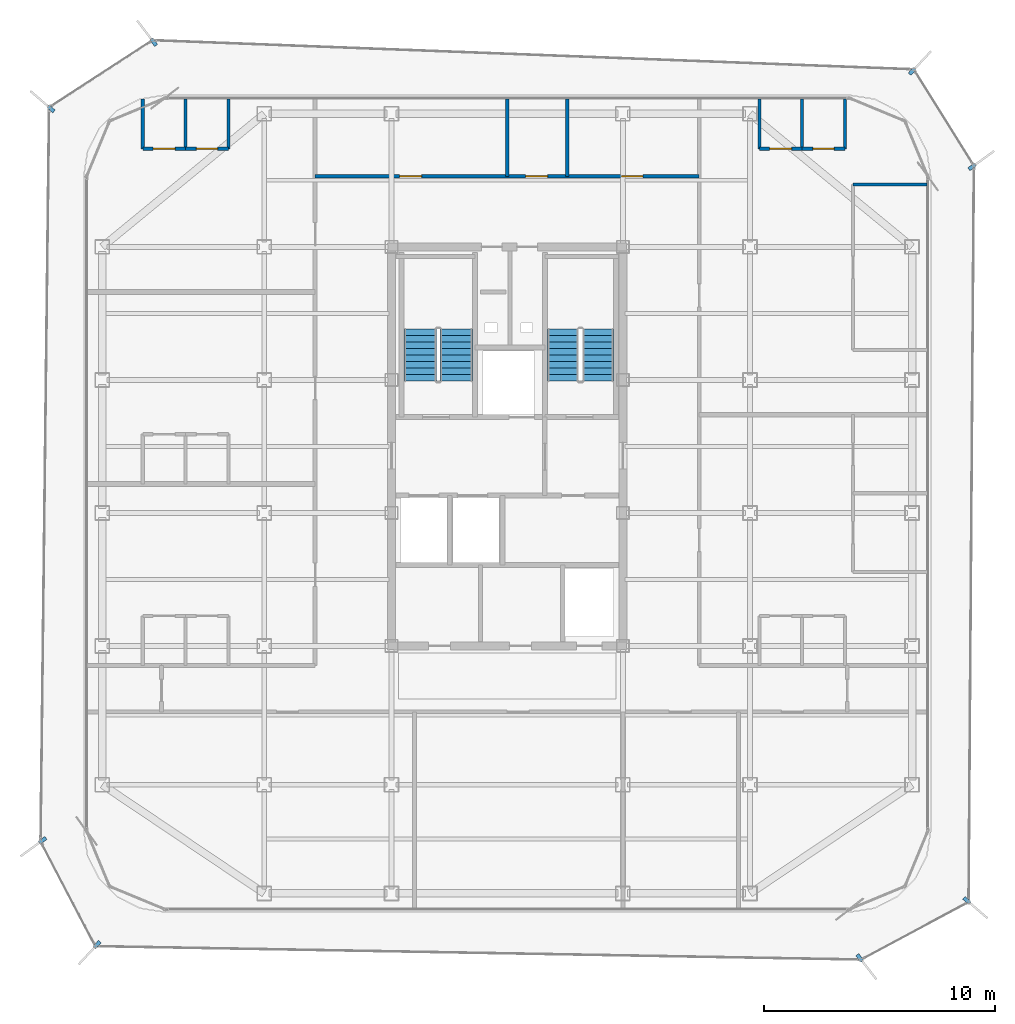
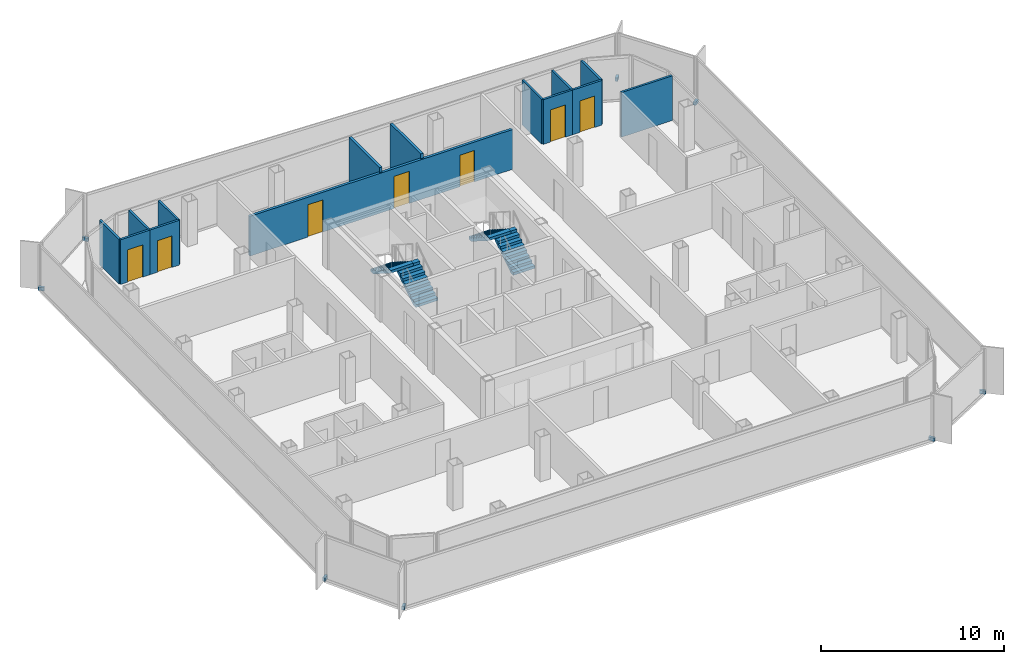
# One storey, part 12 of 15: 14 walls, 8 discrete accessories, 7 doors, 4 stair flights, 7 openings, 2 elements without a shape of their own.
"""IFC4 building model written with IfcOpenShell, lengths in metres."""

import ifcopenshell
import ifcopenshell.guid

model = None  # the IFC model being written
_history = None  # IfcOwnerHistory: only IFC2X3 demands one
_inside = {}  # id of a spatial element -> (the spatial element, [elements in it])
_under = {}  # id of a project, library or spatial element -> (it, [spatial elements below it])
_declared = {}  # id of a project -> (the project, [libraries it declares])
_typed = {}  # id of a type object -> (the type object, [elements of that type])
_made_of = {}  # id of a material, layer set ... -> (it, [elements and type objects made of it])


def new_model(schema):
    """Start an empty IFC model of exactly this schema.

    Asked for "IFC4X3", IfcOpenShell would pick the latest addendum, in which some entities
    have other attributes; the version numbers below select the first issue.
    IFC2X3 requires an IfcOwnerHistory on every rooted entity: one is made here for all.
    """
    global model, _history
    if schema == "IFC4X3":
        model = ifcopenshell.file(schema_version=(4, 3, 0, 0))
    else:
        model = ifcopenshell.file(schema=schema)
    _inside.clear()
    _under.clear()
    _declared.clear()
    _typed.clear()
    _made_of.clear()
    _history = None
    if model.schema == "IFC2X3":
        org = make("IfcOrganization", Name="unknown")
        user = make(
            "IfcPersonAndOrganization",
            ThePerson=make("IfcPerson", FamilyName="unknown"),
            TheOrganization=org,
        )
        app = make(
            "IfcApplication",
            ApplicationDeveloper=org,
            Version="unknown",
            ApplicationFullName="unknown",
            ApplicationIdentifier="unknown",
        )
        _history = make(
            "IfcOwnerHistory",
            OwningUser=user,
            OwningApplication=app,
            ChangeAction="ADDED",
            CreationDate=0,
        )
    return model


def make(cls, **values):
    """One entity of the class cls with the attributes given. An attribute that is None is left unset."""
    return model.create_entity(
        cls, **{name: value for name, value in values.items() if value is not None}
    )


def rooted(cls, **values):
    """An entity with a GlobalId (a new one), such as an element, a storey or a relation."""
    return make(cls, GlobalId=ifcopenshell.guid.new(), OwnerHistory=_history, **values)


def si_unit(unit_type, name, prefix=None):
    """IfcSIUnit, for example si_unit("LENGTHUNIT", "METRE", prefix="MILLI")."""
    return make("IfcSIUnit", UnitType=unit_type, Prefix=prefix, Name=name)


def assignment(units):
    """IfcUnitAssignment: the units of a project."""
    return None if units is None else make("IfcUnitAssignment", Units=units)


def point(xyz):
    """IfcCartesianPoint."""
    return None if xyz is None else make("IfcCartesianPoint", Coordinates=xyz)


def direction(xyz):
    """IfcDirection."""
    return None if xyz is None else make("IfcDirection", DirectionRatios=xyz)


def frame(location, z_axis=None, x_axis=None):
    """IfcAxis2Placement3D, a coordinate frame: its origin and axes. An axis left out is left unset."""
    return make(
        "IfcAxis2Placement3D",
        Location=point(location),
        Axis=direction(z_axis),
        RefDirection=direction(x_axis),
    )


def frame_2d(location, x_axis=None):
    """IfcAxis2Placement2D, a coordinate frame in the plane: its origin and x axis."""
    return make(
        "IfcAxis2Placement2D", Location=point(location), RefDirection=direction(x_axis)
    )


def origin():
    """The frame at (0, 0, 0) with its axes left unset."""
    return frame((0.0, 0.0, 0.0))


def origin_2d():
    """The frame at (0, 0) in the plane with its x axis left unset."""
    return frame_2d((0.0, 0.0))


def place(relative_to, where):
    """IfcLocalPlacement: puts the frame where relative to a parent placement (None: the world)."""
    return make(
        "IfcLocalPlacement", PlacementRelTo=relative_to, RelativePlacement=where
    )


def context(
    kind, dimensions, precision=None, world=None, true_north=None, identifier=None
):
    """IfcGeometricRepresentationContext, for example the 3D "Model" context."""
    return make(
        "IfcGeometricRepresentationContext",
        ContextIdentifier=identifier,
        ContextType=kind,
        CoordinateSpaceDimension=dimensions,
        Precision=precision,
        WorldCoordinateSystem=world,
        TrueNorth=true_north,
    )


def subcontext(parent, identifier, kind, view, scale=None):
    """IfcGeometricRepresentationSubContext, for example "Body" below "Model"."""
    return make(
        "IfcGeometricRepresentationSubContext",
        ContextIdentifier=identifier,
        ContextType=kind,
        ParentContext=parent,
        TargetScale=scale,
        TargetView=view,
    )


def project(units=None, contexts=None):
    """IfcProject with its units and contexts."""
    return rooted(
        "IfcProject",
        Name="project",
        RepresentationContexts=contexts,
        UnitsInContext=assignment(units),
    )


def spatial(cls, under=None, at=None, **own):
    """A site, building, storey or space (cls), placed at a placement, below another one or the project."""
    s = rooted(cls, ObjectPlacement=at, **own)
    if under is not None:
        _under.setdefault(under.id(), (under, []))[1].append(s)
    return s


def polyline(points):
    """IfcPolyline through the points."""
    return make("IfcPolyline", Points=[point(p) for p in points])


def profile(cls, at=None, kind="AREA", **sizes):
    """A parametric profile (cls). Its sizes go by their IFC names, for example OverallWidth=200.0."""
    return make(cls, ProfileType=kind, Position=at, **sizes)


def rectangle(**sizes):
    """IfcRectangleProfileDef."""
    return profile("IfcRectangleProfileDef", **sizes)


def outline(outer, holes=None, kind="AREA"):
    """IfcArbitraryClosedProfileDef: a profile drawn as a closed curve; with holes, ...WithVoids."""
    if holes is None:
        return make("IfcArbitraryClosedProfileDef", ProfileType=kind, OuterCurve=outer)
    return make(
        "IfcArbitraryProfileDefWithVoids",
        ProfileType=kind,
        OuterCurve=outer,
        InnerCurves=holes,
    )


def extrude(swept, where, along, depth):
    """IfcExtrudedAreaSolid: the profile swept, set in the frame where, extruded along a direction by depth."""
    return make(
        "IfcExtrudedAreaSolid",
        SweptArea=swept,
        Position=where,
        ExtrudedDirection=direction(along),
        Depth=depth,
    )


def shape(context_of_items, identifier, shape_type, items):
    """IfcShapeRepresentation: the items that make up one representation, for example the "Body"."""
    return make(
        "IfcShapeRepresentation",
        ContextOfItems=context_of_items,
        RepresentationIdentifier=identifier,
        RepresentationType=shape_type,
        Items=items,
    )


def source(mapping_origin, context_of_items, identifier, shape_type, items):
    """IfcRepresentationMap: a shape defined once, which mapped items show again and again."""
    return make(
        "IfcRepresentationMap",
        MappingOrigin=mapping_origin,
        MappedRepresentation=shape(context_of_items, identifier, shape_type, items),
    )


def transform(
    local_origin,
    x_axis=None,
    y_axis=None,
    z_axis=None,
    scale=None,
    scale2=None,
    scale3=None,
    uniform=True,
):
    """IfcCartesianTransformationOperator3D, or its non-uniform kind. x_axis, y_axis, z_axis: its Axis1, 2, 3."""
    if uniform:
        return make(
            "IfcCartesianTransformationOperator3D",
            Axis1=direction(x_axis),
            Axis2=direction(y_axis),
            LocalOrigin=point(local_origin),
            Scale=scale,
            Axis3=direction(z_axis),
        )
    return make(
        "IfcCartesianTransformationOperator3DnonUniform",
        Axis1=direction(x_axis),
        Axis2=direction(y_axis),
        LocalOrigin=point(local_origin),
        Scale=scale,
        Axis3=direction(z_axis),
        Scale2=scale2,
        Scale3=scale3,
    )


def mapped(mapping_source, mapping_target):
    """IfcMappedItem: shows the shape of a source again, moved by a transform."""
    return make(
        "IfcMappedItem", MappingSource=mapping_source, MappingTarget=mapping_target
    )


def material(Name=None, Category=None):
    """IfcMaterial."""
    return make("IfcMaterial", Name=Name, Category=Category)


def layer(
    of_material, thickness, ventilated=None, Name=None, Category=None, Priority=None
):
    """IfcMaterialLayer: one layer of a wall or slab, of a material (None: an air gap)."""
    return make(
        "IfcMaterialLayer",
        Material=of_material,
        LayerThickness=thickness,
        IsVentilated=ventilated,
        Name=Name,
        Category=Category,
        Priority=Priority,
    )


def layer_set(layers, Name=None):
    """IfcMaterialLayerSet."""
    return make("IfcMaterialLayerSet", MaterialLayers=layers, LayerSetName=Name)


def made_of(thing, what):
    """Note that an element or type object is made of a material, layer set ...; save() writes the relation."""
    if what is not None:
        _made_of.setdefault(what.id(), (what, []))[1].append(thing)
    return thing


def type_object(cls, material=None, **own):
    """A type object (cls), such as IfcWallType, which elements share."""
    return made_of(rooted(cls, **own), material)


def element(
    cls,
    number,
    at=None,
    inside=None,
    cuts=None,
    type_object=None,
    material=None,
    context=None,
    identifier="Body",
    shape_type=None,
    held_by="IfcProductDefinitionShape",
    body=None,
    shapes=None,
    **own,
):
    """One element of the class cls, such as IfcWall. Its Tag is "e" and its number.

    at: its placement. inside: the storey or other place that contains it. cuts: it is an
    opening in that element (IfcRelVoidsElement). A single representation is given by context,
    identifier, shape_type and body (its items); several are given by shapes. held_by: the class
    of the entity that holds the representations. save() writes the other relations.
    """
    e = rooted(cls, Tag="e%d" % number, ObjectPlacement=at, **own)
    if body is not None:
        shapes = [shape(context, identifier, shape_type, body)]
    if shapes is not None:
        e.Representation = make(held_by, Representations=shapes)
    if inside is not None:
        _inside.setdefault(inside.id(), (inside, []))[1].append(e)
    if cuts is not None:
        rooted(
            "IfcRelVoidsElement", RelatingBuildingElement=cuts, RelatedOpeningElement=e
        )
    if type_object is not None:
        _typed.setdefault(type_object.id(), (type_object, []))[1].append(e)
    return made_of(e, material)


def fill(opening, filler):
    """IfcRelFillsElement: the door or window that sits in an opening."""
    return rooted(
        "IfcRelFillsElement",
        RelatingOpeningElement=opening,
        RelatedBuildingElement=filler,
    )


def aggregate(whole, parts):
    """IfcRelAggregates: a whole, such as a stair, and the parts it consists of."""
    return rooted("IfcRelAggregates", RelatingObject=whole, RelatedObjects=parts)


def save(model, path):
    """Write the relations noted so far, then the file.

    IfcRelAggregates (storeys below a building ...), IfcRelContainedInSpatialStructure (elements
    in a storey), IfcRelDefinesByType, IfcRelAssociatesMaterial and IfcRelDeclares: one each for
    every whole, place, type object, material and project.
    """
    for whole, parts in _under.values():
        aggregate(whole, parts)
    for where, things in _inside.values():
        rooted(
            "IfcRelContainedInSpatialStructure",
            RelatedElements=things,
            RelatingStructure=where,
        )
    for kind, things in _typed.values():
        rooted("IfcRelDefinesByType", RelatedObjects=things, RelatingType=kind)
    for what, things in _made_of.values():
        rooted("IfcRelAssociatesMaterial", RelatedObjects=things, RelatingMaterial=what)
    for by, libraries in _declared.values():
        rooted("IfcRelDeclares", RelatingContext=by, RelatedDefinitions=libraries)
    model.write(path)


model = new_model("IFC4")

# Units and contexts
model_context = context("Model", 3, precision=1e-05, world=origin(), true_north=direction((0.0, 1.0)))
body_context = subcontext(model_context, "Body", "Model", "MODEL_VIEW")
ifc_project = project(units=[si_unit("LENGTHUNIT", "METRE"), si_unit("AREAUNIT", "SQUARE_METRE"), si_unit("VOLUMEUNIT", "CUBIC_METRE"), si_unit("PLANEANGLEUNIT", "RADIAN"), si_unit("MASSUNIT", "GRAM", prefix="KILO")], contexts=[model_context])

# Site, building, storey
site_placement = place(None, origin())
site = spatial("IfcSite", under=ifc_project, at=site_placement, CompositionType="ELEMENT")
building_placement = place(site_placement, origin())
building = spatial("IfcBuilding", under=site, at=building_placement, Name="Kolveth Station Tower", CompositionType="ELEMENT")
storey_placement = place(building_placement, frame((0.0, 0.0, 229.699951171875)))
storey = spatial("IfcBuildingStorey", under=building, at=storey_placement, Name="L65", CompositionType="ELEMENT", Elevation=229.699951171875)

# Wall, opening, door
ifc_material_1 = material(Name="Moisture-resistant gypsum partition")
ifc_layer_1 = layer(ifc_material_1, 0.135009765625)
ifc_layer_set_1 = layer_set([ifc_layer_1], Name="Moisture-resistant gypsum partition")
wall_type_1 = type_object("IfcWallType", Name="Wall_IW-135", PredefinedType="PARTITIONING", material=ifc_layer_set_1)
wall_1_placement = place(storey_placement, frame((7.75, 32.989990234375, 0.0), z_axis=(0.0, 0.0, 1.0), x_axis=(1.0, 0.0, 0.0)))
wall_1 = element("IfcWall", 1, at=wall_1_placement, inside=storey, type_object=wall_type_1, Name="L65 Partition Wall WL-L65-W3-IBHK", PredefinedType="PARTITIONING", context=body_context, shape_type="SweptSolid", body=[
    extrude(rectangle(XDim=1.85009765625, YDim=0.135009765625, at=frame_2d((0.925048828125, 0.0))), origin(), (0.0, 0.0, 1.0), 2.97998046875),
])
opening_1_placement = place(wall_1_placement, frame((0.445068359375, 0.0, 0.0)))
opening_1 = element("IfcOpeningElement", 2, at=opening_1_placement, cuts=wall_1, Name="Opening ID1", PredefinedType="OPENING", context=body_context, shape_type="SweptSolid", body=[
    extrude(rectangle(XDim=0.949951171875, YDim=2.14990234375, at=frame_2d((0.47509765625, 1.074951171875))), frame((0.0, 0.077392578125, 0.0), z_axis=(0.0, -1.0, 0.0), x_axis=(1.0, 0.0, 0.0)), (0.0, 0.0, 1.0), 0.155029296875),
])
ifc_material_2 = material(Name="Acoustic hardwood leaf and aluminium frame", Category="wood")
door_type_1 = type_object("IfcDoorType", Name="Door_ID1", OperationType="NOTDEFINED", PredefinedType="DOOR", material=ifc_material_2)
door_1_placement = place(opening_1_placement, frame((0.949951171875, 0.0, 0.0), z_axis=(0.0, 0.0, 1.0), x_axis=(-1.0, 0.0, 0.0)))
door_1 = element("IfcDoor", 3, at=door_1_placement, inside=storey, type_object=door_type_1, Name="Flat L65-W3 Kitchen Door", OperationType="SINGLE_SWING_LEFT", OverallHeight=2.14990234375, OverallWidth=0.949951171875, PredefinedType="DOOR", context=body_context, shape_type="SweptSolid", body=[
    extrude(rectangle(XDim=0.949951171875, YDim=2.14990234375, at=frame_2d((0.47509765625, 1.074951171875))), frame((0.0, 0.02490234375, 0.0), z_axis=(0.0, -1.0, 0.0), x_axis=(1.0, 0.0, 0.0)), (0.0, 0.0, 1.0), 0.050048828125),
])
fill(opening_1, door_1)

wall_2_placement = place(storey_placement, frame((9.60009765625, 32.989990234375, 0.0), z_axis=(0.0, 0.0, 1.0), x_axis=(1.0, 0.0, 0.0)))
wall_2 = element("IfcWall", 4, at=wall_2_placement, inside=storey, type_object=wall_type_1, Name="L65 Partition Wall WL-L65-W3-IBHB", PredefinedType="PARTITIONING", context=body_context, shape_type="SweptSolid", body=[
    extrude(rectangle(XDim=1.849853515625, YDim=0.135009765625, at=frame_2d((0.9248046875, 0.0))), origin(), (0.0, 0.0, 1.0), 2.97998046875),
])
opening_2_placement = place(wall_2_placement, frame((0.465087890625, 0.0, 0.0)))
opening_2 = element("IfcOpeningElement", 5, at=opening_2_placement, cuts=wall_2, Name="Opening ID2", PredefinedType="OPENING", context=body_context, shape_type="SweptSolid", body=[
    extrude(rectangle(XDim=0.919921875, YDim=2.10009765625, at=frame_2d((0.4599609375, 1.050048828125))), frame((0.0, 0.077392578125, 0.0), z_axis=(0.0, -1.0, 0.0), x_axis=(1.0, 0.0, 0.0)), (0.0, 0.0, 1.0), 0.155029296875),
])
ifc_material_3 = material(Name="Moisture-resistant hardwood leaf", Category="wood")
door_type_2 = type_object("IfcDoorType", Name="Door_ID2", OperationType="NOTDEFINED", PredefinedType="DOOR", material=ifc_material_3)
door_2_placement = place(opening_2_placement, frame((0.919921875, 0.0, 0.0), z_axis=(0.0, 0.0, 1.0), x_axis=(-1.0, 0.0, 0.0)))
door_2 = element("IfcDoor", 6, at=door_2_placement, inside=storey, type_object=door_type_2, Name="Flat L65-W3 Bathroom Door", OperationType="SINGLE_SWING_RIGHT", OverallHeight=2.10009765625, OverallWidth=0.919921875, PredefinedType="DOOR", context=body_context, shape_type="SweptSolid", body=[
    extrude(rectangle(XDim=0.919921875, YDim=2.10009765625, at=frame_2d((0.4599609375, 1.050048828125))), frame((0.0, 0.02490234375, 0.0), z_axis=(0.0, -1.0, 0.0), x_axis=(1.0, 0.0, 0.0)), (0.0, 0.0, 1.0), 0.050048828125),
])
fill(opening_2, door_2)

# Walls
for number, where, z_axis, x_axis, name in (
    (7, (7.75, 32.989990234375, 0.0), (0.0, 0.0, 1.0), (0.0, 1.0, 0.0), "L65 Partition Wall WL-L65-W3-IBV0"),
    (8, (9.60009765625, 32.989990234375, 0.0), (0.0, 0.0, 1.0), (0.0, 1.0, 0.0), "L65 Partition Wall WL-L65-W3-IBV1"),
    (9, (11.449951171875, 32.989990234375, 0.0), (0.0, 0.0, 1.0), (0.0, 1.0, 0.0), "L65 Partition Wall WL-L65-W3-IBV2"),
):
    element("IfcWall", number, at=place(storey_placement, frame(where, z_axis=z_axis, x_axis=x_axis)), inside=storey, type_object=wall_type_1, Name=name, PredefinedType="PARTITIONING", context=body_context, shape_type="SweptSolid", body=[
        extrude(rectangle(XDim=2.14990234375, YDim=0.135009765625, at=frame_2d((1.074951171875, 0.0))), origin(), (0.0, 0.0, 1.0), 2.97998046875),
    ])

# Wall, opening, door
wall_3_placement = place(storey_placement, frame((34.39990234375, 32.989990234375, 0.0), z_axis=(0.0, 0.0, 1.0), x_axis=(1.0, 0.0, 0.0)))
wall_3 = element("IfcWall", 10, at=wall_3_placement, inside=storey, type_object=wall_type_1, Name="L65 Partition Wall WL-L65-E2-IBHK", PredefinedType="PARTITIONING", context=body_context, shape_type="SweptSolid", body=[
    extrude(rectangle(XDim=1.85009765625, YDim=0.135009765625, at=frame_2d((0.925048828125, 0.0))), origin(), (0.0, 0.0, 1.0), 2.97998046875),
])
opening_3_placement = place(wall_3_placement, frame((0.445068359375, 0.0, 0.0)))
opening_3 = element("IfcOpeningElement", 11, at=opening_3_placement, cuts=wall_3, Name="Opening ID1", PredefinedType="OPENING", context=body_context, shape_type="SweptSolid", body=[
    extrude(rectangle(XDim=0.949951171875, YDim=2.14990234375, at=frame_2d((0.47509765625, 1.074951171875))), frame((0.0, 0.077392578125, 0.0), z_axis=(0.0, -1.0, 0.0), x_axis=(1.0, 0.0, 0.0)), (0.0, 0.0, 1.0), 0.155029296875),
])
door_3_placement = place(opening_3_placement, frame((0.949951171875, 0.0, 0.0), z_axis=(0.0, 0.0, 1.0), x_axis=(-1.0, 0.0, 0.0)))
door_3 = element("IfcDoor", 12, at=door_3_placement, inside=storey, type_object=door_type_1, Name="Penthouse Flat L65-E2 Kitchen Door", OperationType="SINGLE_SWING_LEFT", OverallHeight=2.14990234375, OverallWidth=0.949951171875, PredefinedType="DOOR", context=body_context, shape_type="SweptSolid", body=[
    extrude(rectangle(XDim=0.949951171875, YDim=2.14990234375, at=frame_2d((0.47509765625, 1.074951171875))), frame((0.0, 0.02490234375, 0.0), z_axis=(0.0, -1.0, 0.0), x_axis=(1.0, 0.0, 0.0)), (0.0, 0.0, 1.0), 0.050048828125),
])
fill(opening_3, door_3)

wall_4_placement = place(storey_placement, frame((36.25, 32.989990234375, 0.0), z_axis=(0.0, 0.0, 1.0), x_axis=(1.0, 0.0, 0.0)))
wall_4 = element("IfcWall", 13, at=wall_4_placement, inside=storey, type_object=wall_type_1, Name="L65 Partition Wall WL-L65-E2-IBHB", PredefinedType="PARTITIONING", context=body_context, shape_type="SweptSolid", body=[
    extrude(rectangle(XDim=1.85009765625, YDim=0.135009765625, at=frame_2d((0.925048828125, 0.0))), origin(), (0.0, 0.0, 1.0), 2.97998046875),
])
opening_4_placement = place(wall_4_placement, frame((0.465087890625, 0.0, 0.0)))
opening_4 = element("IfcOpeningElement", 14, at=opening_4_placement, cuts=wall_4, Name="Opening ID2", PredefinedType="OPENING", context=body_context, shape_type="SweptSolid", body=[
    extrude(rectangle(XDim=0.919921875, YDim=2.10009765625, at=frame_2d((0.4599609375, 1.050048828125))), frame((0.0, 0.077392578125, 0.0), z_axis=(0.0, -1.0, 0.0), x_axis=(1.0, 0.0, 0.0)), (0.0, 0.0, 1.0), 0.155029296875),
])
door_4_placement = place(opening_4_placement, frame((0.919921875, 0.0, 0.0), z_axis=(0.0, 0.0, 1.0), x_axis=(-1.0, 0.0, 0.0)))
door_4 = element("IfcDoor", 15, at=door_4_placement, inside=storey, type_object=door_type_2, Name="Penthouse Flat L65-E2 Bathroom Door", OperationType="SINGLE_SWING_RIGHT", OverallHeight=2.10009765625, OverallWidth=0.919921875, PredefinedType="DOOR", context=body_context, shape_type="SweptSolid", body=[
    extrude(rectangle(XDim=0.919921875, YDim=2.10009765625, at=frame_2d((0.4599609375, 1.050048828125))), frame((0.0, 0.02490234375, 0.0), z_axis=(0.0, -1.0, 0.0), x_axis=(1.0, 0.0, 0.0)), (0.0, 0.0, 1.0), 0.050048828125),
])
fill(opening_4, door_4)

# Walls
for number, where, z_axis, x_axis, name in (
    (16, (34.39990234375, 32.989990234375, 0.0), (0.0, 0.0, 1.0), (0.0, 1.0, 0.0), "L65 Partition Wall WL-L65-E2-IBV0"),
    (17, (36.25, 32.989990234375, 0.0), (0.0, 0.0, 1.0), (0.0, 1.0, 0.0), "L65 Partition Wall WL-L65-E2-IBV1"),
    (18, (38.10009765625, 32.989990234375, 0.0), (0.0, 0.0, 1.0), (0.0, 1.0, 0.0), "L65 Partition Wall WL-L65-E2-IBV2"),
):
    element("IfcWall", number, at=place(storey_placement, frame(where, z_axis=z_axis, x_axis=x_axis)), inside=storey, type_object=wall_type_1, Name=name, PredefinedType="PARTITIONING", context=body_context, shape_type="SweptSolid", body=[
        extrude(rectangle(XDim=2.14990234375, YDim=0.135009765625, at=frame_2d((1.074951171875, 0.0))), origin(), (0.0, 0.0, 1.0), 2.97998046875),
    ])
wall_5_placement = place(storey_placement, frame((38.449951171875, 31.449951171875, 0.0), z_axis=(0.0, 0.0, 1.0), x_axis=(1.0, 0.0, 0.0)))
element("IfcWall", 19, at=wall_5_placement, inside=storey, type_object=wall_type_1, Name="L65 Partition Wall WL-L65-E2-BDHE", PredefinedType="PARTITIONING", context=body_context, shape_type="SweptSolid", body=[
    extrude(rectangle(XDim=3.18994140625, YDim=0.135009765625, at=frame_2d((1.594970703125, 0.0))), origin(), (0.0, 0.0, 1.0), 2.97998046875),
])

# Wall, openings, doors
ifc_material_4 = material(Name="Acoustic double-stud gypsum partition")
ifc_layer_2 = layer(ifc_material_4, 0.1650390625)
ifc_layer_set_2 = layer_set([ifc_layer_2], Name="Acoustic double-stud gypsum partition")
wall_type_2 = type_object("IfcWallType", Name="Wall_IW-165", PredefinedType="PARTITIONING", material=ifc_layer_set_2)
wall_6_placement = place(storey_placement, frame((15.199951171875, 31.800048828125, 0.0), z_axis=(0.0, 0.0, 1.0), x_axis=(1.0, 0.0, 0.0)))
wall_6 = element("IfcWall", 20, at=wall_6_placement, inside=storey, type_object=wall_type_2, Name="L65 Partition Wall WL-L65-RN", PredefinedType="PARTITIONING", context=body_context, shape_type="SweptSolid", body=[
    extrude(rectangle(XDim=16.60009765625, YDim=0.1650390625, at=frame_2d((8.300048828125, 0.0))), origin(), (0.0, 0.0, 1.0), 2.655029296875),
])
opening_5_placement = place(wall_6_placement, frame((3.64990234375, 0.0, 0.0)))
opening_5 = element("IfcOpeningElement", 21, at=opening_5_placement, cuts=wall_6, Name="Opening ID1", PredefinedType="OPENING", context=body_context, shape_type="SweptSolid", body=[
    extrude(rectangle(XDim=0.949951171875, YDim=2.14990234375, at=frame_2d((0.47509765625, 1.074951171875))), frame((0.0, 0.092529296875, 0.0), z_axis=(0.0, -1.0, 0.0), x_axis=(1.0, 0.0, 0.0)), (0.0, 0.0, 1.0), 0.18505859375),
])
opening_6_placement = place(wall_6_placement, frame((9.10009765625, 0.0, 0.0)))
opening_6 = element("IfcOpeningElement", 22, at=opening_6_placement, cuts=wall_6, Name="Opening ID1", PredefinedType="OPENING", context=body_context, shape_type="SweptSolid", body=[
    extrude(rectangle(XDim=0.949951171875, YDim=2.14990234375, at=frame_2d((0.47509765625, 1.074951171875))), frame((0.0, 0.092529296875, 0.0), z_axis=(0.0, -1.0, 0.0), x_axis=(1.0, 0.0, 0.0)), (0.0, 0.0, 1.0), 0.18505859375),
])
opening_7_placement = place(wall_6_placement, frame((13.25, 0.0, 0.0)))
opening_7 = element("IfcOpeningElement", 23, at=opening_7_placement, cuts=wall_6, Name="Opening ID2", PredefinedType="OPENING", context=body_context, shape_type="SweptSolid", body=[
    extrude(rectangle(XDim=0.919921875, YDim=2.10009765625, at=frame_2d((0.4599609375, 1.050048828125))), frame((0.0, 0.092529296875, 0.0), z_axis=(0.0, -1.0, 0.0), x_axis=(1.0, 0.0, 0.0)), (0.0, 0.0, 1.0), 0.18505859375),
])
door_5_placement = place(opening_5_placement, origin())
door_5 = element("IfcDoor", 24, at=door_5_placement, inside=storey, type_object=door_type_1, Name="L65 Residents' Sky Lounge Door", OperationType="SINGLE_SWING_LEFT", OverallHeight=2.14990234375, OverallWidth=0.949951171875, PredefinedType="DOOR", context=body_context, shape_type="SweptSolid", body=[
    extrude(rectangle(XDim=0.949951171875, YDim=2.14990234375, at=frame_2d((0.47509765625, 1.074951171875))), frame((0.0, 0.02490234375, 0.0), z_axis=(0.0, -1.0, 0.0), x_axis=(1.0, 0.0, 0.0)), (0.0, 0.0, 1.0), 0.050048828125),
])
fill(opening_5, door_5)
door_6_placement = place(opening_6_placement, origin())
door_6 = element("IfcDoor", 25, at=door_6_placement, inside=storey, type_object=door_type_1, Name="L65 Residents' Committee Room Door", OperationType="SINGLE_SWING_LEFT", OverallHeight=2.14990234375, OverallWidth=0.949951171875, PredefinedType="DOOR", context=body_context, shape_type="SweptSolid", body=[
    extrude(rectangle(XDim=0.949951171875, YDim=2.14990234375, at=frame_2d((0.47509765625, 1.074951171875))), frame((0.0, 0.02490234375, 0.0), z_axis=(0.0, -1.0, 0.0), x_axis=(1.0, 0.0, 0.0)), (0.0, 0.0, 1.0), 0.050048828125),
])
fill(opening_6, door_6)
door_7_placement = place(opening_7_placement, origin())
door_7 = element("IfcDoor", 26, at=door_7_placement, inside=storey, type_object=door_type_2, Name="L65 Accessible Residents' WC Door", OperationType="SINGLE_SWING_LEFT", OverallHeight=2.10009765625, OverallWidth=0.919921875, PredefinedType="DOOR", context=body_context, shape_type="SweptSolid", body=[
    extrude(rectangle(XDim=0.919921875, YDim=2.10009765625, at=frame_2d((0.4599609375, 1.050048828125))), frame((0.0, 0.02490234375, 0.0), z_axis=(0.0, -1.0, 0.0), x_axis=(1.0, 0.0, 0.0)), (0.0, 0.0, 1.0), 0.050048828125),
])
fill(opening_7, door_7)

# Walls
for number, where, z_axis, x_axis, name in (
    (27, (23.5, 31.800048828125, 0.0), (0.0, 0.0, 1.0), (0.0, 1.0, 0.0), "L65 Partition Wall WL-L65-RN-P1"),
    (28, (26.10009765625, 31.800048828125, 0.0), (0.0, 0.0, 1.0), (0.0, 1.0, 0.0), "L65 Partition Wall WL-L65-RN-P2"),
):
    element("IfcWall", number, at=place(storey_placement, frame(where, z_axis=z_axis, x_axis=x_axis)), inside=storey, type_object=wall_type_2, Name=name, PredefinedType="PARTITIONING", context=body_context, shape_type="SweptSolid", body=[
        extrude(rectangle(XDim=3.33984375, YDim=0.1650390625, at=frame_2d((1.669921875, 0.0))), origin(), (0.0, 0.0, 1.0), 2.97998046875),
    ])

# Stair, stair flights
ifc_material_5 = material(Name="Concrete C40/50", Category="concrete")
stair_type_1 = type_object("IfcStairType", Name="Stair_ST1", PredefinedType="HALF_TURN_STAIR", material=ifc_material_5)
stair_1_placement = place(storey_placement, origin())
stair_1 = element("IfcStair", 29, at=stair_1_placement, inside=storey, type_object=stair_type_1, Name="L65 Tower Exit Stair ST1", PredefinedType="HALF_TURN_STAIR")
ifc_layer_3 = layer(ifc_material_5, 0.179931640625)
ifc_layer_set_3 = layer_set([ifc_layer_3], Name="Concrete C40/50")
stair_flight_type_1 = type_object("IfcStairFlightType", Name="Flight_ST1", PredefinedType="STRAIGHT", material=ifc_layer_set_3)
stair_flight_1_placement = place(storey_placement, frame((21.300048828125, 22.949951171875, 0.0), z_axis=(0.0, 0.0, 1.0), x_axis=(0.0, 1.0, 0.0)))
stair_flight_1 = element("IfcStairFlight", 30, at=stair_flight_1_placement, type_object=stair_flight_type_1, Name="ST1 flight 1", NumberOfRisers=9, NumberOfTreads=8, PredefinedType="STRAIGHT", RiserHeight=0.177777778, TreadLength=0.28, context=body_context, shape_type="SweptSolid", body=[
    extrude(outline(polyline([(0.0, 0.0), (0.0, 0.177734375), (0.280029296875, 0.177734375), (0.280029296875, 0.35546875), (0.56005859375, 0.35546875), (0.56005859375, 0.533447265625), (0.840087890625, 0.533447265625), (0.840087890625, 0.711181640625), (1.1201171875, 0.711181640625), (1.1201171875, 0.888916015625), (1.39990234375, 0.888916015625), (1.39990234375, 1.066650390625), (1.679931640625, 1.066650390625), (1.679931640625, 1.244384765625), (1.9599609375, 1.244384765625), (1.9599609375, 1.422119140625), (2.239990234375, 1.422119140625), (2.239990234375, 1.60009765625), (2.239990234375, 1.24462890625), (0.27978515625, 0.0), (0.0, 0.0)])), frame((0.0, 0.699951171875, 0.0), z_axis=(0.0, -1.0, 0.0), x_axis=(1.0, 0.0, 0.0)), (0.0, 0.0, 1.0), 1.39990234375),
])
stair_flight_2_placement = place(storey_placement, frame((19.739990234375, 25.18994140625, 1.60009765625), z_axis=(0.0, 0.0, 1.0), x_axis=(0.0, -1.0, 0.0)))
stair_flight_2 = element("IfcStairFlight", 31, at=stair_flight_2_placement, type_object=stair_flight_type_1, Name="ST1 flight 2", NumberOfRisers=9, NumberOfTreads=8, PredefinedType="STRAIGHT", RiserHeight=0.177777778, TreadLength=0.28, context=body_context, shape_type="SweptSolid", body=[
    extrude(outline(polyline([(0.0, 0.0), (0.0, 0.177734375), (0.280029296875, 0.177734375), (0.280029296875, 0.35546875), (0.56005859375, 0.35546875), (0.56005859375, 0.533447265625), (0.840087890625, 0.533447265625), (0.840087890625, 0.711181640625), (1.1201171875, 0.711181640625), (1.1201171875, 0.888916015625), (1.39990234375, 0.888916015625), (1.39990234375, 1.066650390625), (1.679931640625, 1.066650390625), (1.679931640625, 1.244384765625), (1.9599609375, 1.244384765625), (1.9599609375, 1.422119140625), (2.239990234375, 1.422119140625), (2.239990234375, 1.60009765625), (2.239990234375, 1.24462890625), (0.27978515625, 0.0), (0.0, 0.0)])), frame((0.0, 0.699951171875, 0.0), z_axis=(0.0, -1.0, 0.0), x_axis=(1.0, 0.0, 0.0)), (0.0, 0.0, 1.0), 1.39990234375),
])
aggregate(stair_1, [stair_flight_1, stair_flight_2])

stair_type_2 = type_object("IfcStairType", Name="Stair_ST2", PredefinedType="HALF_TURN_STAIR", material=ifc_material_5)
stair_2_placement = place(storey_placement, origin())
stair_2 = element("IfcStair", 32, at=stair_2_placement, inside=storey, type_object=stair_type_2, Name="L65 Tower Exit Stair ST2", PredefinedType="HALF_TURN_STAIR")
ifc_layer_4 = layer(ifc_material_5, 0.179931640625)
ifc_layer_set_4 = layer_set([ifc_layer_4], Name="Concrete C40/50")
stair_flight_type_2 = type_object("IfcStairFlightType", Name="Flight_ST2", PredefinedType="STRAIGHT", material=ifc_layer_set_4)
stair_flight_3_placement = place(storey_placement, frame((27.425048828125, 22.949951171875, 0.0), z_axis=(0.0, 0.0, 1.0), x_axis=(0.0, 1.0, 0.0)))
stair_flight_3 = element("IfcStairFlight", 33, at=stair_flight_3_placement, type_object=stair_flight_type_2, Name="ST2 flight 1", NumberOfRisers=9, NumberOfTreads=8, PredefinedType="STRAIGHT", RiserHeight=0.177777778, TreadLength=0.28, context=body_context, shape_type="SweptSolid", body=[
    extrude(outline(polyline([(0.0, 0.0), (0.0, 0.177734375), (0.280029296875, 0.177734375), (0.280029296875, 0.35546875), (0.56005859375, 0.35546875), (0.56005859375, 0.533447265625), (0.840087890625, 0.533447265625), (0.840087890625, 0.711181640625), (1.1201171875, 0.711181640625), (1.1201171875, 0.888916015625), (1.39990234375, 0.888916015625), (1.39990234375, 1.066650390625), (1.679931640625, 1.066650390625), (1.679931640625, 1.244384765625), (1.9599609375, 1.244384765625), (1.9599609375, 1.422119140625), (2.239990234375, 1.422119140625), (2.239990234375, 1.60009765625), (2.239990234375, 1.24462890625), (0.27978515625, 0.0), (0.0, 0.0)])), frame((0.0, 0.675048828125, 0.0), z_axis=(0.0, -1.0, 0.0), x_axis=(1.0, 0.0, 0.0)), (0.0, 0.0, 1.0), 1.35009765625),
])
stair_flight_4_placement = place(storey_placement, frame((25.9150390625, 25.18994140625, 1.60009765625), z_axis=(0.0, 0.0, 1.0), x_axis=(0.0, -1.0, 0.0)))
stair_flight_4 = element("IfcStairFlight", 34, at=stair_flight_4_placement, type_object=stair_flight_type_2, Name="ST2 flight 2", NumberOfRisers=9, NumberOfTreads=8, PredefinedType="STRAIGHT", RiserHeight=0.177777778, TreadLength=0.28, context=body_context, shape_type="SweptSolid", body=[
    extrude(outline(polyline([(0.0, 0.0), (0.0, 0.177734375), (0.280029296875, 0.177734375), (0.280029296875, 0.35546875), (0.56005859375, 0.35546875), (0.56005859375, 0.533447265625), (0.840087890625, 0.533447265625), (0.840087890625, 0.711181640625), (1.1201171875, 0.711181640625), (1.1201171875, 0.888916015625), (1.39990234375, 0.888916015625), (1.39990234375, 1.066650390625), (1.679931640625, 1.066650390625), (1.679931640625, 1.244384765625), (1.9599609375, 1.244384765625), (1.9599609375, 1.422119140625), (2.239990234375, 1.422119140625), (2.239990234375, 1.60009765625), (2.239990234375, 1.24462890625), (0.27978515625, 0.0), (0.0, 0.0)])), frame((0.0, 0.675048828125, 0.0), z_axis=(0.0, -1.0, 0.0), x_axis=(1.0, 0.0, 0.0)), (0.0, 0.0, 1.0), 1.35009765625),
])
aggregate(stair_2, [stair_flight_3, stair_flight_4])

# Discrete accessories
ifc_material_6 = material(Name="Steel S355", Category="steel")
discrete_accessory_type = type_object("IfcDiscreteAccessoryType", Name="Bracket_BK1", PredefinedType="BRACKET", material=ifc_material_6)
shared_shape = source(origin(), body_context, "Body", "SweptSolid", [
    extrude(rectangle(XDim=0.35009765625, YDim=0.159912109375, at=origin_2d()), origin(), (0.0, 0.0, 1.0), 0.219970703125),
])
for number, where, z_axis, x_axis, name in (
    (35, (38.739990234375, -1.985107421875, -0.06005859375), (0.0, 0.0, 1.0), (0.613182832438, -0.789941019319, 0.0), "L65 Double-Skin Radial Tie Bracket 1"),
    (36, (43.375, 0.493896484375, -0.06005859375), (0.0, 0.0, 1.0), (0.756995055652, -0.65342060399, 0.0), "L65 Double-Skin Radial Tie Bracket 2"),
    (37, (43.59912109375, 32.205078125, -0.06005859375), (0.0, 0.0, 1.0), (0.809939286826, 0.586513726741, 0.0), "L65 Double-Skin Radial Tie Bracket 3"),
    (38, (41.014892578125, 36.343994140625, -0.06005859375), (0.0, 0.0, 1.0), (0.683783356562, 0.729685083642, 0.0), "L65 Double-Skin Radial Tie Bracket 4"),
    (39, (8.221923828125, 37.594970703125, -0.06005859375), (0.0, 0.0, 1.0), (-0.608068865901, 0.793884282702, 0.0), "L65 Double-Skin Radial Tie Bracket 5"),
    (40, (3.781005859375, 34.716064453125, -0.06005859375), (0.0, 0.0, 1.0), (-0.756081970773, 0.6544769312, 0.0), "L65 Double-Skin Radial Tie Bracket 6"),
    (41, (3.4189453125, 3.096923828125, -0.06005859375), (0.0, 0.0, 1.0), (-0.809734505573, -0.586796413149, 0.0), "L65 Double-Skin Radial Tie Bracket 7"),
    (42, (5.77392578125, -1.412109375, -0.06005859375), (0.0, 0.0, 1.0), (-0.680976533192, -0.732305237754, 0.0), "L65 Double-Skin Radial Tie Bracket 8"),
):
    element("IfcDiscreteAccessory", number, at=place(storey_placement, frame(where, z_axis=z_axis, x_axis=x_axis)), inside=storey, type_object=discrete_accessory_type, Name=name, PredefinedType="BRACKET", context=body_context, shape_type="MappedRepresentation", body=[
        mapped(shared_shape, transform((0.0, 0.0, 0.0), x_axis=(1.0, 0.0, 0.0), y_axis=(0.0, 1.0, 0.0), z_axis=(0.0, 0.0, 1.0), scale=1.0)),
    ])

save(model, "model.ifc")
